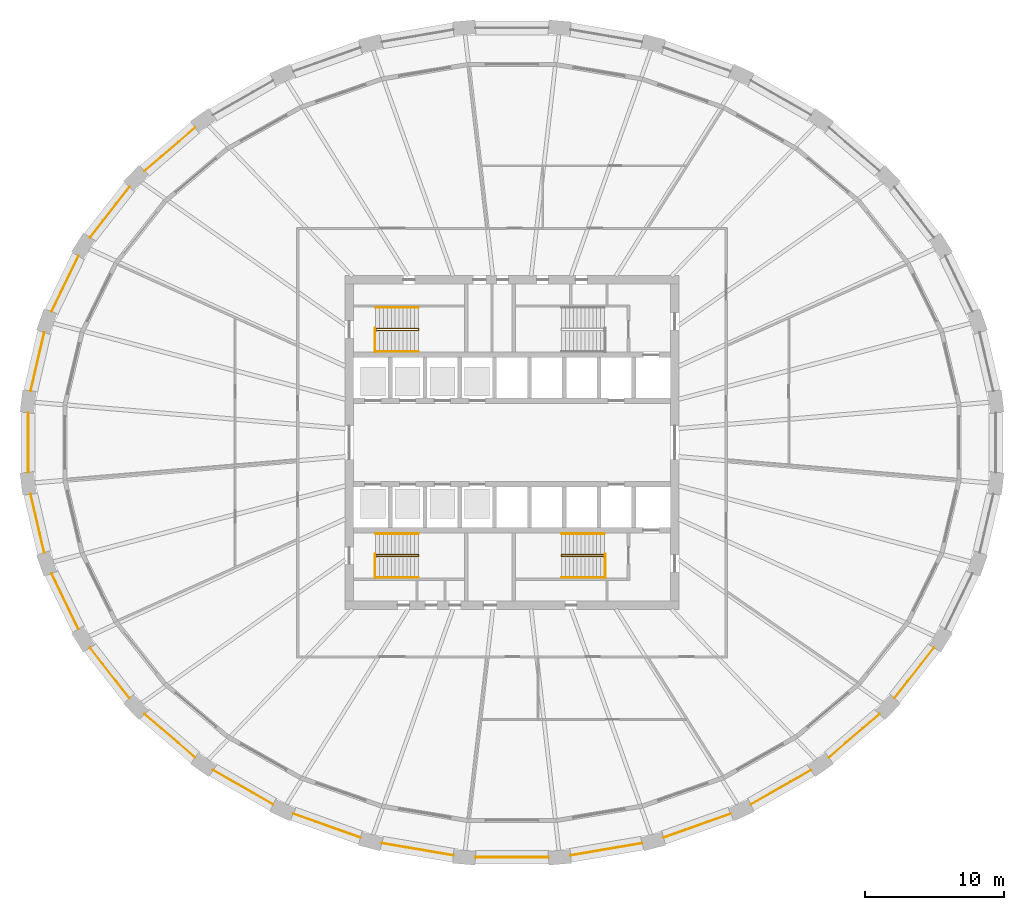
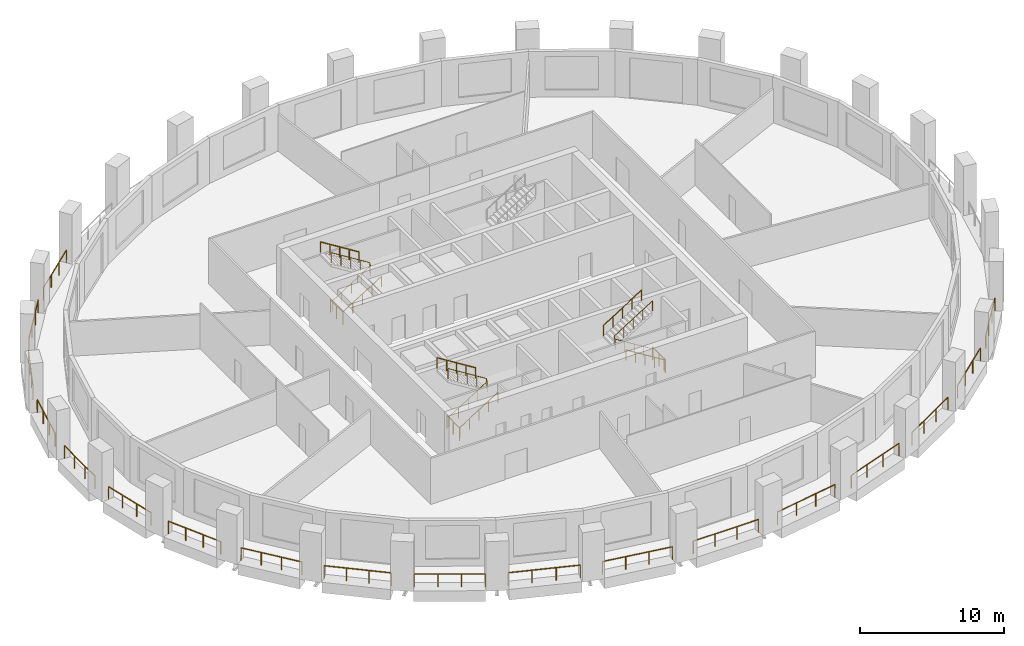
# One storey, part 8 of 10: 30 railings.
"""IFC4 building model written with IfcOpenShell, lengths in metres."""

from ifc_helpers import new_model, si_unit, direction, frame, origin, origin_2d, place, context, subcontext, project, spatial, circle, extrude, material, type_object, element, save


model = new_model("IFC4")

# Units and contexts
model_context = context("Model", 3, precision=1e-05, world=origin(), true_north=direction((0.0, 1.0)))
body_context = subcontext(model_context, "Body", "Model", "MODEL_VIEW")
ifc_project = project(units=[si_unit("LENGTHUNIT", "METRE"), si_unit("AREAUNIT", "SQUARE_METRE"), si_unit("VOLUMEUNIT", "CUBIC_METRE"), si_unit("PLANEANGLEUNIT", "RADIAN"), si_unit("MASSUNIT", "GRAM", prefix="KILO")], contexts=[model_context])

# Site, building, storey
site_placement = place(None, origin())
site = spatial("IfcSite", under=ifc_project, at=site_placement, CompositionType="ELEMENT")
building_placement = place(site_placement, origin())
building = spatial("IfcBuilding", under=site, at=building_placement, Name="Halqa Exchange Tower", CompositionType="ELEMENT")
storey_placement = place(building_placement, frame((0.0, 0.0, 121.300048828125)))
storey = spatial("IfcBuildingStorey", under=building, at=storey_placement, Name="L27", CompositionType="ELEMENT", Elevation=121.300048828125)

# Railings
ifc_material = material(Name="Stainless steel", Category="steel")
railing_type_1 = type_object("IfcRailingType", Name="Guard 1100 stainless steel", PredefinedType="GUARDRAIL", material=ifc_material)
railing_1_placement = place(storey_placement, frame((-22.77783203125, 22.635009765625, 0.0)))
element("IfcRailing", 1, at=railing_1_placement, inside=storey, type_object=railing_type_1, Name="Loggia guard 12", PredefinedType="GUARDRAIL", context=body_context, shape_type="SweptSolid", body=[
    extrude(circle(Radius=0.02392578125, at=origin_2d()), frame((0.0, 0.0, 1.076171875), z_axis=(-0.759213341011, -0.650841841641, 0.0), x_axis=(0.650841841641, -0.759213341011, 0.0)), (0.0, 0.0, 1.0), 4.780517578125),
    extrude(circle(Radius=0.02099609375, at=origin_2d()), origin(), (0.0, 0.0, 1.0), 1.052001953125),
    extrude(circle(Radius=0.02099609375, at=origin_2d()), frame((-1.209716796875, -1.037109375, 0.0)), (0.0, 0.0, 1.0), 1.052001953125),
    extrude(circle(Radius=0.02099609375, at=origin_2d()), frame((-2.419677734375, -2.07421875, 0.0)), (0.0, 0.0, 1.0), 1.052001953125),
    extrude(circle(Radius=0.02099609375, at=origin_2d()), frame((-3.62939453125, -3.111328125, 0.0)), (0.0, 0.0, 1.0), 1.052001953125),
])
railing_2_placement = place(storey_placement, frame((-27.506591796875, 18.372314453125, 0.0)))
element("IfcRailing", 2, at=railing_2_placement, inside=storey, type_object=railing_type_1, Name="Loggia guard 13", PredefinedType="GUARDRAIL", context=body_context, shape_type="SweptSolid", body=[
    extrude(circle(Radius=0.02392578125, at=origin_2d()), frame((0.0, 0.0, 1.076171875), z_axis=(-0.614794379483, -0.788687435526, 0.0), x_axis=(0.788687435526, -0.614794379483, 0.0)), (0.0, 0.0, 1.0), 4.591064453125),
    extrude(circle(Radius=0.02099609375, at=origin_2d()), origin(), (0.0, 0.0, 1.0), 1.052001953125),
    extrude(circle(Radius=0.02099609375, at=origin_2d()), frame((-0.94091796875, -1.20703125, 0.0)), (0.0, 0.0, 1.0), 1.052001953125),
    extrude(circle(Radius=0.02099609375, at=origin_2d()), frame((-1.881591796875, -2.413818359375, 0.0)), (0.0, 0.0, 1.0), 1.052001953125),
    extrude(circle(Radius=0.02099609375, at=origin_2d()), frame((-2.822509765625, -3.620849609375, 0.0)), (0.0, 0.0, 1.0), 1.052001953125),
])
railing_3_placement = place(storey_placement, frame((-31.1689453125, 13.400390625, 0.0)))
element("IfcRailing", 3, at=railing_3_placement, inside=storey, type_object=railing_type_1, Name="Loggia guard 14", PredefinedType="GUARDRAIL", context=body_context, shape_type="SweptSolid", body=[
    extrude(circle(Radius=0.02392578125, at=origin_2d()), frame((0.0, 0.0, 1.076171875), z_axis=(-0.43510232477, -0.900381012117, 0.0), x_axis=(0.900381012117, -0.43510232477, 0.0)), (0.0, 0.0, 1.0), 4.425537109375),
    extrude(circle(Radius=0.02099609375, at=origin_2d()), origin(), (0.0, 0.0, 1.0), 1.052001953125),
    extrude(circle(Radius=0.02099609375, at=origin_2d()), frame((-0.641845703125, -1.328125, 0.0)), (0.0, 0.0, 1.0), 1.052001953125),
    extrude(circle(Radius=0.02099609375, at=origin_2d()), frame((-1.28369140625, -2.656494140625, 0.0)), (0.0, 0.0, 1.0), 1.052001953125),
    extrude(circle(Radius=0.02099609375, at=origin_2d()), frame((-1.925537109375, -3.984619140625, 0.0)), (0.0, 0.0, 1.0), 1.052001953125),
])
railing_4_placement = place(storey_placement, frame((-33.623291015625, 7.916015625, 0.0)))
element("IfcRailing", 4, at=railing_4_placement, inside=storey, type_object=railing_type_1, Name="Loggia guard 15", PredefinedType="GUARDRAIL", context=body_context, shape_type="SweptSolid", body=[
    extrude(circle(Radius=0.02392578125, at=origin_2d()), frame((0.0, 0.0, 1.076171875), z_axis=(-0.226116277414, -0.974100317774, 0.0), x_axis=(0.974100317774, -0.226116277414, 0.0)), (0.0, 0.0, 1.0), 4.312255859375),
    extrude(circle(Radius=0.02099609375, at=origin_2d()), origin(), (0.0, 0.0, 1.0), 1.052001953125),
    extrude(circle(Radius=0.02099609375, at=origin_2d()), frame((-0.324951171875, -1.400146484375, 0.0)), (0.0, 0.0, 1.0), 1.052001953125),
    extrude(circle(Radius=0.02099609375, at=origin_2d()), frame((-0.650146484375, -2.800537109375, 0.0)), (0.0, 0.0, 1.0), 1.052001953125),
    extrude(circle(Radius=0.02099609375, at=origin_2d()), frame((-0.97509765625, -4.20068359375, 0.0)), (0.0, 0.0, 1.0), 1.052001953125),
])
railing_5_placement = place(storey_placement, frame((-34.779052734375, 2.135986328125, 0.0)))
element("IfcRailing", 5, at=railing_5_placement, inside=storey, type_object=railing_type_1, Name="Loggia guard 16", PredefinedType="GUARDRAIL", context=body_context, shape_type="SweptSolid", body=[
    extrude(circle(Radius=0.02392578125, at=origin_2d()), frame((0.0, 0.0, 1.076171875), z_axis=(0.0, -1.0, 0.0), x_axis=(1.0, 0.0, 0.0)), (0.0, 0.0, 1.0), 4.27197265625),
    extrude(circle(Radius=0.02099609375, at=origin_2d()), origin(), (0.0, 0.0, 1.0), 1.052001953125),
    extrude(circle(Radius=0.02099609375, at=origin_2d()), frame((0.0, -1.424072265625, 0.0)), (0.0, 0.0, 1.0), 1.052001953125),
    extrude(circle(Radius=0.02099609375, at=origin_2d()), frame((0.0, -2.847900390625, 0.0)), (0.0, 0.0, 1.0), 1.052001953125),
    extrude(circle(Radius=0.02099609375, at=origin_2d()), frame((0.0, -4.27197265625, 0.0)), (0.0, 0.0, 1.0), 1.052001953125),
])
railing_6_placement = place(storey_placement, frame((-34.598388671875, -3.71533203125, 0.0)))
element("IfcRailing", 6, at=railing_6_placement, inside=storey, type_object=railing_type_1, Name="Loggia guard 17", PredefinedType="GUARDRAIL", context=body_context, shape_type="SweptSolid", body=[
    extrude(circle(Radius=0.02392578125, at=origin_2d()), frame((0.0, 0.0, 1.076171875), z_axis=(0.226116277414, -0.974100317774, 0.0), x_axis=(0.974100317774, 0.226116277414, 0.0)), (0.0, 0.0, 1.0), 4.312255859375),
    extrude(circle(Radius=0.02099609375, at=origin_2d()), origin(), (0.0, 0.0, 1.0), 1.052001953125),
    extrude(circle(Radius=0.02099609375, at=origin_2d()), frame((0.324951171875, -1.400146484375, 0.0)), (0.0, 0.0, 1.0), 1.052001953125),
    extrude(circle(Radius=0.02099609375, at=origin_2d()), frame((0.650146484375, -2.800537109375, 0.0)), (0.0, 0.0, 1.0), 1.052001953125),
    extrude(circle(Radius=0.02099609375, at=origin_2d()), frame((0.97509765625, -4.20068359375, 0.0)), (0.0, 0.0, 1.0), 1.052001953125),
])
railing_7_placement = place(storey_placement, frame((-33.094482421875, -9.415771484375, 0.0)))
element("IfcRailing", 7, at=railing_7_placement, inside=storey, type_object=railing_type_1, Name="Loggia guard 18", PredefinedType="GUARDRAIL", context=body_context, shape_type="SweptSolid", body=[
    extrude(circle(Radius=0.02392578125, at=origin_2d()), frame((0.0, 0.0, 1.076171875), z_axis=(0.43510232477, -0.900381012117, 0.0), x_axis=(0.900381012117, 0.43510232477, 0.0)), (0.0, 0.0, 1.0), 4.425537109375),
    extrude(circle(Radius=0.02099609375, at=origin_2d()), origin(), (0.0, 0.0, 1.0), 1.052001953125),
    extrude(circle(Radius=0.02099609375, at=origin_2d()), frame((0.641845703125, -1.328125, 0.0)), (0.0, 0.0, 1.0), 1.052001953125),
    extrude(circle(Radius=0.02099609375, at=origin_2d()), frame((1.28369140625, -2.656494140625, 0.0)), (0.0, 0.0, 1.0), 1.052001953125),
    extrude(circle(Radius=0.02099609375, at=origin_2d()), frame((1.925537109375, -3.984619140625, 0.0)), (0.0, 0.0, 1.0), 1.052001953125),
])
railing_8_placement = place(storey_placement, frame((-30.3291015625, -14.75146484375, 0.0)))
element("IfcRailing", 8, at=railing_8_placement, inside=storey, type_object=railing_type_1, Name="Loggia guard 19", PredefinedType="GUARDRAIL", context=body_context, shape_type="SweptSolid", body=[
    extrude(circle(Radius=0.02392578125, at=origin_2d()), frame((0.0, 0.0, 1.076171875), z_axis=(0.614794379483, -0.788687435526, 0.0), x_axis=(0.788687435526, 0.614794379483, 0.0)), (0.0, 0.0, 1.0), 4.591064453125),
    extrude(circle(Radius=0.02099609375, at=origin_2d()), origin(), (0.0, 0.0, 1.0), 1.052001953125),
    extrude(circle(Radius=0.02099609375, at=origin_2d()), frame((0.94091796875, -1.20703125, 0.0)), (0.0, 0.0, 1.0), 1.052001953125),
    extrude(circle(Radius=0.02099609375, at=origin_2d()), frame((1.881591796875, -2.413818359375, 0.0)), (0.0, 0.0, 1.0), 1.052001953125),
    extrude(circle(Radius=0.02099609375, at=origin_2d()), frame((2.822509765625, -3.620849609375, 0.0)), (0.0, 0.0, 1.0), 1.052001953125),
])
railing_9_placement = place(storey_placement, frame((-26.4072265625, -19.523681640625, 0.0)))
element("IfcRailing", 9, at=railing_9_placement, inside=storey, type_object=railing_type_1, Name="Loggia guard 20", PredefinedType="GUARDRAIL", context=body_context, shape_type="SweptSolid", body=[
    extrude(circle(Radius=0.02392578125, at=origin_2d()), frame((0.0, 0.0, 1.076171875), z_axis=(0.759213341011, -0.650841841641, 0.0), x_axis=(0.650841841641, 0.759213341011, 0.0)), (0.0, 0.0, 1.0), 4.780517578125),
    extrude(circle(Radius=0.02099609375, at=origin_2d()), origin(), (0.0, 0.0, 1.0), 1.052001953125),
    extrude(circle(Radius=0.02099609375, at=origin_2d()), frame((1.209716796875, -1.037109375, 0.0)), (0.0, 0.0, 1.0), 1.052001953125),
    extrude(circle(Radius=0.02099609375, at=origin_2d()), frame((2.419677734375, -2.07421875, 0.0)), (0.0, 0.0, 1.0), 1.052001953125),
    extrude(circle(Radius=0.02099609375, at=origin_2d()), frame((3.62939453125, -3.111328125, 0.0)), (0.0, 0.0, 1.0), 1.052001953125),
])
railing_10_placement = place(storey_placement, frame((-21.476318359375, -23.552978515625, 0.0)))
element("IfcRailing", 10, at=railing_10_placement, inside=storey, type_object=railing_type_1, Name="Loggia guard 21", PredefinedType="GUARDRAIL", context=body_context, shape_type="SweptSolid", body=[
    extrude(circle(Radius=0.02392578125, at=origin_2d()), frame((0.0, 0.0, 1.076171875), z_axis=(0.867764594192, -0.496975461232, 0.0), x_axis=(0.496975461232, 0.867764594192, 0.0)), (0.0, 0.0, 1.0), 4.964599609375),
    extrude(circle(Radius=0.02099609375, at=origin_2d()), origin(), (0.0, 0.0, 1.0), 1.052001953125),
    extrude(circle(Radius=0.02099609375, at=origin_2d()), frame((1.43603515625, -0.822509765625, 0.0)), (0.0, 0.0, 1.0), 1.052001953125),
    extrude(circle(Radius=0.02099609375, at=origin_2d()), frame((2.8720703125, -1.644775390625, 0.0)), (0.0, 0.0, 1.0), 1.052001953125),
    extrude(circle(Radius=0.02099609375, at=origin_2d()), frame((4.30810546875, -2.46728515625, 0.0)), (0.0, 0.0, 1.0), 1.052001953125),
])
railing_11_placement = place(storey_placement, frame((-15.72021484375, -26.685546875, 0.0)))
element("IfcRailing", 11, at=railing_11_placement, inside=storey, type_object=railing_type_1, Name="Loggia guard 22", PredefinedType="GUARDRAIL", context=body_context, shape_type="SweptSolid", body=[
    extrude(circle(Radius=0.02392578125, at=origin_2d()), frame((0.0, 0.0, 1.076171875), z_axis=(0.942363208547, -0.334591666329, 0.0), x_axis=(0.334591666329, 0.942363208547, 0.0)), (0.0, 0.0, 1.0), 5.116455078125),
    extrude(circle(Radius=0.02099609375, at=origin_2d()), origin(), (0.0, 0.0, 1.0), 1.052001953125),
    extrude(circle(Radius=0.02099609375, at=origin_2d()), frame((1.607177734375, -0.570556640625, 0.0)), (0.0, 0.0, 1.0), 1.052001953125),
    extrude(circle(Radius=0.02099609375, at=origin_2d()), frame((3.21435546875, -1.141357421875, 0.0)), (0.0, 0.0, 1.0), 1.052001953125),
    extrude(circle(Radius=0.02099609375, at=origin_2d()), frame((4.821533203125, -1.7119140625, 0.0)), (0.0, 0.0, 1.0), 1.052001953125),
])
railing_12_placement = place(storey_placement, frame((-9.356201171875, -28.799560546875, 0.0)))
element("IfcRailing", 12, at=railing_12_placement, inside=storey, type_object=railing_type_1, Name="Loggia guard 23", PredefinedType="GUARDRAIL", context=body_context, shape_type="SweptSolid", body=[
    extrude(circle(Radius=0.02392578125, at=origin_2d()), frame((0.0, 0.0, 1.076171875), z_axis=(0.985774843574, -0.168071287782, 0.0), x_axis=(0.168071287782, 0.985774843574, 0.0)), (0.0, 0.0, 1.0), 5.21630859375),
    extrude(circle(Radius=0.02099609375, at=origin_2d()), origin(), (0.0, 0.0, 1.0), 1.052001953125),
    extrude(circle(Radius=0.02099609375, at=origin_2d()), frame((1.714111328125, -0.292236328125, 0.0)), (0.0, 0.0, 1.0), 1.052001953125),
    extrude(circle(Radius=0.02099609375, at=origin_2d()), frame((3.427978515625, -0.58447265625, 0.0)), (0.0, 0.0, 1.0), 1.052001953125),
    extrude(circle(Radius=0.02099609375, at=origin_2d()), frame((5.14208984375, -0.876708984375, 0.0)), (0.0, 0.0, 1.0), 1.052001953125),
])
railing_13_placement = place(storey_placement, frame((-2.62548828125, -29.810791015625, 0.0)))
element("IfcRailing", 13, at=railing_13_placement, inside=storey, type_object=railing_type_1, Name="Loggia guard 24", PredefinedType="GUARDRAIL", context=body_context, shape_type="SweptSolid", body=[
    extrude(circle(Radius=0.02392578125, at=origin_2d()), frame((0.0, 0.0, 1.076171875), z_axis=(1.0, 0.0, 0.0), x_axis=(0.0, 1.0, 0.0)), (0.0, 0.0, 1.0), 5.2509765625),
    extrude(circle(Radius=0.02099609375, at=origin_2d()), origin(), (0.0, 0.0, 1.0), 1.052001953125),
    extrude(circle(Radius=0.02099609375, at=origin_2d()), frame((1.750244140625, 0.0, 0.0)), (0.0, 0.0, 1.0), 1.052001953125),
    extrude(circle(Radius=0.02099609375, at=origin_2d()), frame((3.500732421875, 0.0, 0.0)), (0.0, 0.0, 1.0), 1.052001953125),
    extrude(circle(Radius=0.02099609375, at=origin_2d()), frame((5.2509765625, 0.0, 0.0)), (0.0, 0.0, 1.0), 1.052001953125),
])
railing_14_placement = place(storey_placement, frame((4.214111328125, -29.67626953125, 0.0)))
element("IfcRailing", 14, at=railing_14_placement, inside=storey, type_object=railing_type_1, Name="Loggia guard 25", PredefinedType="GUARDRAIL", context=body_context, shape_type="SweptSolid", body=[
    extrude(circle(Radius=0.02392578125, at=origin_2d()), frame((0.0, 0.0, 1.076171875), z_axis=(0.985774843574, 0.168071287782, 0.0), x_axis=(-0.168071287782, 0.985774843574, 0.0)), (0.0, 0.0, 1.0), 5.21630859375),
    extrude(circle(Radius=0.02099609375, at=origin_2d()), origin(), (0.0, 0.0, 1.0), 1.052001953125),
    extrude(circle(Radius=0.02099609375, at=origin_2d()), frame((1.714111328125, 0.292236328125, 0.0)), (0.0, 0.0, 1.0), 1.052001953125),
    extrude(circle(Radius=0.02099609375, at=origin_2d()), frame((3.427978515625, 0.58447265625, 0.0)), (0.0, 0.0, 1.0), 1.052001953125),
    extrude(circle(Radius=0.02099609375, at=origin_2d()), frame((5.14208984375, 0.876708984375, 0.0)), (0.0, 0.0, 1.0), 1.052001953125),
])
railing_15_placement = place(storey_placement, frame((10.898681640625, -28.3974609375, 0.0)))
element("IfcRailing", 15, at=railing_15_placement, inside=storey, type_object=railing_type_1, Name="Loggia guard 26", PredefinedType="GUARDRAIL", context=body_context, shape_type="SweptSolid", body=[
    extrude(circle(Radius=0.02392578125, at=origin_2d()), frame((0.0, 0.0, 1.076171875), z_axis=(0.942363208547, 0.334591666329, 0.0), x_axis=(-0.334591666329, 0.942363208547, 0.0)), (0.0, 0.0, 1.0), 5.116455078125),
    extrude(circle(Radius=0.02099609375, at=origin_2d()), origin(), (0.0, 0.0, 1.0), 1.052001953125),
    extrude(circle(Radius=0.02099609375, at=origin_2d()), frame((1.607177734375, 0.570556640625, 0.0)), (0.0, 0.0, 1.0), 1.052001953125),
    extrude(circle(Radius=0.02099609375, at=origin_2d()), frame((3.21435546875, 1.141357421875, 0.0)), (0.0, 0.0, 1.0), 1.052001953125),
    extrude(circle(Radius=0.02099609375, at=origin_2d()), frame((4.821533203125, 1.7119140625, 0.0)), (0.0, 0.0, 1.0), 1.052001953125),
])
railing_16_placement = place(storey_placement, frame((17.168212890625, -26.020263671875, 0.0)))
element("IfcRailing", 16, at=railing_16_placement, inside=storey, type_object=railing_type_1, Name="Loggia guard 27", PredefinedType="GUARDRAIL", context=body_context, shape_type="SweptSolid", body=[
    extrude(circle(Radius=0.02392578125, at=origin_2d()), frame((0.0, 0.0, 1.076171875), z_axis=(0.867764594192, 0.496975461232, 0.0), x_axis=(-0.496975461232, 0.867764594192, 0.0)), (0.0, 0.0, 1.0), 4.964599609375),
    extrude(circle(Radius=0.02099609375, at=origin_2d()), origin(), (0.0, 0.0, 1.0), 1.052001953125),
    extrude(circle(Radius=0.02099609375, at=origin_2d()), frame((1.43603515625, 0.822509765625, 0.0)), (0.0, 0.0, 1.0), 1.052001953125),
    extrude(circle(Radius=0.02099609375, at=origin_2d()), frame((2.8720703125, 1.644775390625, 0.0)), (0.0, 0.0, 1.0), 1.052001953125),
    extrude(circle(Radius=0.02099609375, at=origin_2d()), frame((4.30810546875, 2.46728515625, 0.0)), (0.0, 0.0, 1.0), 1.052001953125),
])
railing_17_placement = place(storey_placement, frame((22.77783203125, -22.635009765625, 0.0)))
element("IfcRailing", 17, at=railing_17_placement, inside=storey, type_object=railing_type_1, Name="Loggia guard 28", PredefinedType="GUARDRAIL", context=body_context, shape_type="SweptSolid", body=[
    extrude(circle(Radius=0.02392578125, at=origin_2d()), frame((0.0, 0.0, 1.076171875), z_axis=(0.759213341011, 0.650841841641, 0.0), x_axis=(-0.650841841641, 0.759213341011, 0.0)), (0.0, 0.0, 1.0), 4.780517578125),
    extrude(circle(Radius=0.02099609375, at=origin_2d()), origin(), (0.0, 0.0, 1.0), 1.052001953125),
    extrude(circle(Radius=0.02099609375, at=origin_2d()), frame((1.209716796875, 1.037109375, 0.0)), (0.0, 0.0, 1.0), 1.052001953125),
    extrude(circle(Radius=0.02099609375, at=origin_2d()), frame((2.419677734375, 2.07421875, 0.0)), (0.0, 0.0, 1.0), 1.052001953125),
    extrude(circle(Radius=0.02099609375, at=origin_2d()), frame((3.62939453125, 3.111328125, 0.0)), (0.0, 0.0, 1.0), 1.052001953125),
])
railing_18_placement = place(storey_placement, frame((27.506591796875, -18.372314453125, 0.0)))
element("IfcRailing", 18, at=railing_18_placement, inside=storey, type_object=railing_type_1, Name="Loggia guard 29", PredefinedType="GUARDRAIL", context=body_context, shape_type="SweptSolid", body=[
    extrude(circle(Radius=0.02392578125, at=origin_2d()), frame((0.0, 0.0, 1.076171875), z_axis=(0.614794379483, 0.788687435526, 0.0), x_axis=(-0.788687435526, 0.614794379483, 0.0)), (0.0, 0.0, 1.0), 4.591064453125),
    extrude(circle(Radius=0.02099609375, at=origin_2d()), origin(), (0.0, 0.0, 1.0), 1.052001953125),
    extrude(circle(Radius=0.02099609375, at=origin_2d()), frame((0.94091796875, 1.20703125, 0.0)), (0.0, 0.0, 1.0), 1.052001953125),
    extrude(circle(Radius=0.02099609375, at=origin_2d()), frame((1.881591796875, 2.413818359375, 0.0)), (0.0, 0.0, 1.0), 1.052001953125),
    extrude(circle(Radius=0.02099609375, at=origin_2d()), frame((2.822509765625, 3.620849609375, 0.0)), (0.0, 0.0, 1.0), 1.052001953125),
])
railing_type_2 = type_object("IfcRailingType", Name="Stair handrail 900", PredefinedType="HANDRAIL", material=ifc_material)
railing_19_placement = place(storey_placement, frame((-9.800048828125, 8.06005859375, 0.175048828125)))
element("IfcRailing", 19, at=railing_19_placement, inside=storey, type_object=railing_type_2, Name="Handrail ST1.1", PredefinedType="HANDRAIL", context=body_context, shape_type="SweptSolid", body=[
    extrude(circle(Radius=0.02392578125, at=origin_2d()), frame((0.0, 0.0, 0.8759765625), z_axis=(0.848028513186, 0.0, 0.529950602248), x_axis=(0.0, 1.0, 0.0)), (0.0, 0.0, 1.0), 3.632080078125),
    extrude(circle(Radius=0.02392578125, at=origin_2d()), frame((3.080078125, 0.0, 2.80078125), z_axis=(0.0, 0.595870227118, 0.803080738428), x_axis=(-1.0, 0.0, 0.0)), (0.0, 0.0, 1.0), 0.218017578125),
    extrude(circle(Radius=0.02392578125, at=origin_2d()), frame((3.080078125, 0.1298828125, 2.9755859375), z_axis=(-0.847998304005, 0.0, 0.529998940003), x_axis=(0.0, -1.0, 0.0)), (0.0, 0.0, 1.0), 3.632080078125),
    extrude(circle(Radius=0.02099609375, at=origin_2d()), origin(), (0.0, 0.0, 1.0), 0.851806640625),
    extrude(circle(Radius=0.02099609375, at=origin_2d()), frame((0.77001953125, 0.0, 0.481201171875)), (0.0, 0.0, 1.0), 0.851806640625),
    extrude(circle(Radius=0.02099609375, at=origin_2d()), frame((1.5400390625, 0.0, 0.96240234375)), (0.0, 0.0, 1.0), 0.851806640625),
    extrude(circle(Radius=0.02099609375, at=origin_2d()), frame((2.31005859375, 0.0, 1.443603515625)), (0.0, 0.0, 1.0), 0.851806640625),
    extrude(circle(Radius=0.02099609375, at=origin_2d()), frame((3.080078125, 0.0, 1.9248046875)), (0.0, 0.0, 1.0), 0.851806640625),
    extrude(circle(Radius=0.02099609375, at=origin_2d()), frame((3.080078125, 0.1298828125, 2.099853515625)), (0.0, 0.0, 1.0), 0.851806640625),
    extrude(circle(Radius=0.02099609375, at=origin_2d()), frame((2.31005859375, 0.1298828125, 2.5810546875)), (0.0, 0.0, 1.0), 0.851806640625),
    extrude(circle(Radius=0.02099609375, at=origin_2d()), frame((1.5400390625, 0.1298828125, 3.0625)), (0.0, 0.0, 1.0), 0.851806640625),
    extrude(circle(Radius=0.02099609375, at=origin_2d()), frame((0.77001953125, 0.1298828125, 3.543701171875)), (0.0, 0.0, 1.0), 0.851806640625),
    extrude(circle(Radius=0.02099609375, at=origin_2d()), frame((0.0, 0.1298828125, 4.02490234375)), (0.0, 0.0, 1.0), 0.851806640625),
])
railing_20_placement = place(storey_placement, frame((-9.800048828125, 6.550048828125, 0.175048828125)))
element("IfcRailing", 20, at=railing_20_placement, inside=storey, type_object=railing_type_2, Name="Handrail ST1.2", PredefinedType="HANDRAIL", context=body_context, shape_type="SweptSolid", body=[
    extrude(circle(Radius=0.02392578125, at=origin_2d()), frame((0.0, 0.0, 0.8759765625), z_axis=(0.848028513186, 0.0, 0.529950602248), x_axis=(0.0, 1.0, 0.0)), (0.0, 0.0, 1.0), 3.632080078125),
    extrude(circle(Radius=0.02099609375, at=origin_2d()), origin(), (0.0, 0.0, 1.0), 0.851806640625),
    extrude(circle(Radius=0.02099609375, at=origin_2d()), frame((0.77001953125, 0.0, 0.481201171875)), (0.0, 0.0, 1.0), 0.851806640625),
    extrude(circle(Radius=0.02099609375, at=origin_2d()), frame((1.5400390625, 0.0, 0.96240234375)), (0.0, 0.0, 1.0), 0.851806640625),
    extrude(circle(Radius=0.02099609375, at=origin_2d()), frame((2.31005859375, 0.0, 1.443603515625)), (0.0, 0.0, 1.0), 0.851806640625),
    extrude(circle(Radius=0.02099609375, at=origin_2d()), frame((3.080078125, 0.0, 1.9248046875)), (0.0, 0.0, 1.0), 0.851806640625),
])
railing_21_placement = place(storey_placement, frame((-6.719970703125, 9.699951171875, 2.27490234375)))
element("IfcRailing", 21, at=railing_21_placement, inside=storey, type_object=railing_type_2, Name="Handrail ST1.3", PredefinedType="HANDRAIL", context=body_context, shape_type="SweptSolid", body=[
    extrude(circle(Radius=0.02392578125, at=origin_2d()), frame((0.0, 0.0, 0.8759765625), z_axis=(-0.847998304005, 0.0, 0.529998940003), x_axis=(0.0, -1.0, 0.0)), (0.0, 0.0, 1.0), 3.632080078125),
    extrude(circle(Radius=0.02099609375, at=origin_2d()), origin(), (0.0, 0.0, 1.0), 0.851806640625),
    extrude(circle(Radius=0.02099609375, at=origin_2d()), frame((-0.77001953125, 0.0, 0.481201171875)), (0.0, 0.0, 1.0), 0.851806640625),
    extrude(circle(Radius=0.02099609375, at=origin_2d()), frame((-1.5400390625, 0.0, 0.96240234375)), (0.0, 0.0, 1.0), 0.851806640625),
    extrude(circle(Radius=0.02099609375, at=origin_2d()), frame((-2.31005859375, 0.0, 1.44384765625)), (0.0, 0.0, 1.0), 0.851806640625),
    extrude(circle(Radius=0.02099609375, at=origin_2d()), frame((-3.080078125, 0.0, 1.925048828125)), (0.0, 0.0, 1.0), 0.851806640625),
])
railing_22_placement = place(storey_placement, frame((-9.800048828125, -8.18994140625, 0.175048828125)))
element("IfcRailing", 22, at=railing_22_placement, inside=storey, type_object=railing_type_2, Name="Handrail ST3.1", PredefinedType="HANDRAIL", context=body_context, shape_type="SweptSolid", body=[
    extrude(circle(Radius=0.02392578125, at=origin_2d()), frame((0.0, 0.0, 0.8759765625), z_axis=(0.848028513186, 0.0, 0.529950602248), x_axis=(0.0, 1.0, 0.0)), (0.0, 0.0, 1.0), 3.632080078125),
    extrude(circle(Radius=0.02392578125, at=origin_2d()), frame((3.080078125, 0.0, 2.80078125), z_axis=(0.0, 0.595870227118, 0.803080738428), x_axis=(-1.0, 0.0, 0.0)), (0.0, 0.0, 1.0), 0.218017578125),
    extrude(circle(Radius=0.02392578125, at=origin_2d()), frame((3.080078125, 0.1298828125, 2.9755859375), z_axis=(-0.847998304005, 0.0, 0.529998940003), x_axis=(0.0, -1.0, 0.0)), (0.0, 0.0, 1.0), 3.632080078125),
    extrude(circle(Radius=0.02099609375, at=origin_2d()), origin(), (0.0, 0.0, 1.0), 0.851806640625),
    extrude(circle(Radius=0.02099609375, at=origin_2d()), frame((0.77001953125, 0.0, 0.481201171875)), (0.0, 0.0, 1.0), 0.851806640625),
    extrude(circle(Radius=0.02099609375, at=origin_2d()), frame((1.5400390625, 0.0, 0.96240234375)), (0.0, 0.0, 1.0), 0.851806640625),
    extrude(circle(Radius=0.02099609375, at=origin_2d()), frame((2.31005859375, 0.0, 1.443603515625)), (0.0, 0.0, 1.0), 0.851806640625),
    extrude(circle(Radius=0.02099609375, at=origin_2d()), frame((3.080078125, 0.0, 1.9248046875)), (0.0, 0.0, 1.0), 0.851806640625),
    extrude(circle(Radius=0.02099609375, at=origin_2d()), frame((3.080078125, 0.1298828125, 2.099853515625)), (0.0, 0.0, 1.0), 0.851806640625),
    extrude(circle(Radius=0.02099609375, at=origin_2d()), frame((2.31005859375, 0.1298828125, 2.5810546875)), (0.0, 0.0, 1.0), 0.851806640625),
    extrude(circle(Radius=0.02099609375, at=origin_2d()), frame((1.5400390625, 0.1298828125, 3.0625)), (0.0, 0.0, 1.0), 0.851806640625),
    extrude(circle(Radius=0.02099609375, at=origin_2d()), frame((0.77001953125, 0.1298828125, 3.543701171875)), (0.0, 0.0, 1.0), 0.851806640625),
    extrude(circle(Radius=0.02099609375, at=origin_2d()), frame((0.0, 0.1298828125, 4.02490234375)), (0.0, 0.0, 1.0), 0.851806640625),
])
railing_23_placement = place(storey_placement, frame((-9.800048828125, -9.699951171875, 0.175048828125)))
element("IfcRailing", 23, at=railing_23_placement, inside=storey, type_object=railing_type_2, Name="Handrail ST3.2", PredefinedType="HANDRAIL", context=body_context, shape_type="SweptSolid", body=[
    extrude(circle(Radius=0.02392578125, at=origin_2d()), frame((0.0, 0.0, 0.8759765625), z_axis=(0.848028513186, 0.0, 0.529950602248), x_axis=(0.0, 1.0, 0.0)), (0.0, 0.0, 1.0), 3.632080078125),
    extrude(circle(Radius=0.02099609375, at=origin_2d()), origin(), (0.0, 0.0, 1.0), 0.851806640625),
    extrude(circle(Radius=0.02099609375, at=origin_2d()), frame((0.77001953125, 0.0, 0.481201171875)), (0.0, 0.0, 1.0), 0.851806640625),
    extrude(circle(Radius=0.02099609375, at=origin_2d()), frame((1.5400390625, 0.0, 0.96240234375)), (0.0, 0.0, 1.0), 0.851806640625),
    extrude(circle(Radius=0.02099609375, at=origin_2d()), frame((2.31005859375, 0.0, 1.443603515625)), (0.0, 0.0, 1.0), 0.851806640625),
    extrude(circle(Radius=0.02099609375, at=origin_2d()), frame((3.080078125, 0.0, 1.9248046875)), (0.0, 0.0, 1.0), 0.851806640625),
])
railing_24_placement = place(storey_placement, frame((-6.719970703125, -6.550048828125, 2.27490234375)))
element("IfcRailing", 24, at=railing_24_placement, inside=storey, type_object=railing_type_2, Name="Handrail ST3.3", PredefinedType="HANDRAIL", context=body_context, shape_type="SweptSolid", body=[
    extrude(circle(Radius=0.02392578125, at=origin_2d()), frame((0.0, 0.0, 0.8759765625), z_axis=(-0.847998304005, 0.0, 0.529998940003), x_axis=(0.0, -1.0, 0.0)), (0.0, 0.0, 1.0), 3.632080078125),
    extrude(circle(Radius=0.02099609375, at=origin_2d()), origin(), (0.0, 0.0, 1.0), 0.851806640625),
    extrude(circle(Radius=0.02099609375, at=origin_2d()), frame((-0.77001953125, 0.0, 0.481201171875)), (0.0, 0.0, 1.0), 0.851806640625),
    extrude(circle(Radius=0.02099609375, at=origin_2d()), frame((-1.5400390625, 0.0, 0.96240234375)), (0.0, 0.0, 1.0), 0.851806640625),
    extrude(circle(Radius=0.02099609375, at=origin_2d()), frame((-2.31005859375, 0.0, 1.44384765625)), (0.0, 0.0, 1.0), 0.851806640625),
    extrude(circle(Radius=0.02099609375, at=origin_2d()), frame((-3.080078125, 0.0, 1.925048828125)), (0.0, 0.0, 1.0), 0.851806640625),
])
railing_25_placement = place(storey_placement, frame((6.64990234375, -8.18994140625, 0.175048828125)))
element("IfcRailing", 25, at=railing_25_placement, inside=storey, type_object=railing_type_2, Name="Handrail ST4.1", PredefinedType="HANDRAIL", context=body_context, shape_type="SweptSolid", body=[
    extrude(circle(Radius=0.02392578125, at=origin_2d()), frame((0.0, 0.0, 0.8759765625), z_axis=(-0.848009633417, 0.0, 0.529980812513), x_axis=(0.0, -1.0, 0.0)), (0.0, 0.0, 1.0), 3.6318359375),
    extrude(circle(Radius=0.02392578125, at=origin_2d()), frame((-3.079833984375, 0.0, 2.80078125), z_axis=(0.0, 0.595870227118, 0.803080738428), x_axis=(-1.0, 0.0, 0.0)), (0.0, 0.0, 1.0), 0.218017578125),
    extrude(circle(Radius=0.02392578125, at=origin_2d()), frame((-3.079833984375, 0.1298828125, 2.9755859375), z_axis=(0.847979421464, 0.0, 0.530029150871), x_axis=(0.0, 1.0, 0.0)), (0.0, 0.0, 1.0), 3.632080078125),
    extrude(circle(Radius=0.02099609375, at=origin_2d()), origin(), (0.0, 0.0, 1.0), 0.851806640625),
    extrude(circle(Radius=0.02099609375, at=origin_2d()), frame((-0.77001953125, 0.0, 0.481201171875)), (0.0, 0.0, 1.0), 0.851806640625),
    extrude(circle(Radius=0.02099609375, at=origin_2d()), frame((-1.5400390625, 0.0, 0.96240234375)), (0.0, 0.0, 1.0), 0.851806640625),
    extrude(circle(Radius=0.02099609375, at=origin_2d()), frame((-2.309814453125, 0.0, 1.443603515625)), (0.0, 0.0, 1.0), 0.851806640625),
    extrude(circle(Radius=0.02099609375, at=origin_2d()), frame((-3.079833984375, 0.0, 1.9248046875)), (0.0, 0.0, 1.0), 0.851806640625),
    extrude(circle(Radius=0.02099609375, at=origin_2d()), frame((-3.079833984375, 0.1298828125, 2.099853515625)), (0.0, 0.0, 1.0), 0.851806640625),
    extrude(circle(Radius=0.02099609375, at=origin_2d()), frame((-2.309814453125, 0.1298828125, 2.5810546875)), (0.0, 0.0, 1.0), 0.851806640625),
    extrude(circle(Radius=0.02099609375, at=origin_2d()), frame((-1.5400390625, 0.1298828125, 3.0625)), (0.0, 0.0, 1.0), 0.851806640625),
    extrude(circle(Radius=0.02099609375, at=origin_2d()), frame((-0.77001953125, 0.1298828125, 3.543701171875)), (0.0, 0.0, 1.0), 0.851806640625),
    extrude(circle(Radius=0.02099609375, at=origin_2d()), frame((0.0, 0.1298828125, 4.02490234375)), (0.0, 0.0, 1.0), 0.851806640625),
])
railing_26_placement = place(storey_placement, frame((6.64990234375, -9.699951171875, 0.175048828125)))
element("IfcRailing", 26, at=railing_26_placement, inside=storey, type_object=railing_type_2, Name="Handrail ST4.2", PredefinedType="HANDRAIL", context=body_context, shape_type="SweptSolid", body=[
    extrude(circle(Radius=0.02392578125, at=origin_2d()), frame((0.0, 0.0, 0.8759765625), z_axis=(-0.848009633417, 0.0, 0.529980812513), x_axis=(0.0, -1.0, 0.0)), (0.0, 0.0, 1.0), 3.6318359375),
    extrude(circle(Radius=0.02099609375, at=origin_2d()), origin(), (0.0, 0.0, 1.0), 0.851806640625),
    extrude(circle(Radius=0.02099609375, at=origin_2d()), frame((-0.77001953125, 0.0, 0.481201171875)), (0.0, 0.0, 1.0), 0.851806640625),
    extrude(circle(Radius=0.02099609375, at=origin_2d()), frame((-1.5400390625, 0.0, 0.96240234375)), (0.0, 0.0, 1.0), 0.851806640625),
    extrude(circle(Radius=0.02099609375, at=origin_2d()), frame((-2.309814453125, 0.0, 1.443603515625)), (0.0, 0.0, 1.0), 0.851806640625),
    extrude(circle(Radius=0.02099609375, at=origin_2d()), frame((-3.079833984375, 0.0, 1.9248046875)), (0.0, 0.0, 1.0), 0.851806640625),
])
railing_27_placement = place(storey_placement, frame((3.570068359375, -6.550048828125, 2.27490234375)))
element("IfcRailing", 27, at=railing_27_placement, inside=storey, type_object=railing_type_2, Name="Handrail ST4.3", PredefinedType="HANDRAIL", context=body_context, shape_type="SweptSolid", body=[
    extrude(circle(Radius=0.02392578125, at=origin_2d()), frame((0.0, 0.0, 0.8759765625), z_axis=(0.847979421464, 0.0, 0.530029150871), x_axis=(0.0, 1.0, 0.0)), (0.0, 0.0, 1.0), 3.632080078125),
    extrude(circle(Radius=0.02099609375, at=origin_2d()), origin(), (0.0, 0.0, 1.0), 0.851806640625),
    extrude(circle(Radius=0.02099609375, at=origin_2d()), frame((0.77001953125, 0.0, 0.481201171875)), (0.0, 0.0, 1.0), 0.851806640625),
    extrude(circle(Radius=0.02099609375, at=origin_2d()), frame((1.5400390625, 0.0, 0.96240234375)), (0.0, 0.0, 1.0), 0.851806640625),
    extrude(circle(Radius=0.02099609375, at=origin_2d()), frame((2.309814453125, 0.0, 1.44384765625)), (0.0, 0.0, 1.0), 0.851806640625),
    extrude(circle(Radius=0.02099609375, at=origin_2d()), frame((3.079833984375, 0.0, 1.925048828125)), (0.0, 0.0, 1.0), 0.851806640625),
])
railing_type_3 = type_object("IfcRailingType", Name="Stair well guard 1100", PredefinedType="GUARDRAIL", material=ifc_material)
for number, where, name in (
    (28, (-9.85009765625, 6.5, 0.0), "Guard ST1 well"),
    (29, (-9.85009765625, -9.75, 0.0), "Guard ST3 well"),
    (30, (6.699951171875, -9.75, 0.0), "Guard ST4 well"),
):
    element("IfcRailing", number, at=place(storey_placement, frame(where)), inside=storey, type_object=railing_type_3, Name=name, PredefinedType="GUARDRAIL", context=body_context, shape_type="SweptSolid", body=[
        extrude(circle(Radius=0.02392578125, at=origin_2d()), frame((0.0, 0.0, 1.076171875), z_axis=(0.0, 1.0, 0.0), x_axis=(-1.0, 0.0, 0.0)), (0.0, 0.0, 1.0), 1.75),
        extrude(circle(Radius=0.02099609375, at=origin_2d()), origin(), (0.0, 0.0, 1.0), 1.052001953125),
        extrude(circle(Radius=0.02099609375, at=origin_2d()), frame((0.0, 0.875, 0.0)), (0.0, 0.0, 1.0), 1.052001953125),
        extrude(circle(Radius=0.02099609375, at=origin_2d()), frame((0.0, 1.75, 0.0)), (0.0, 0.0, 1.0), 1.052001953125),
    ])

save(model, "model.ifc")
